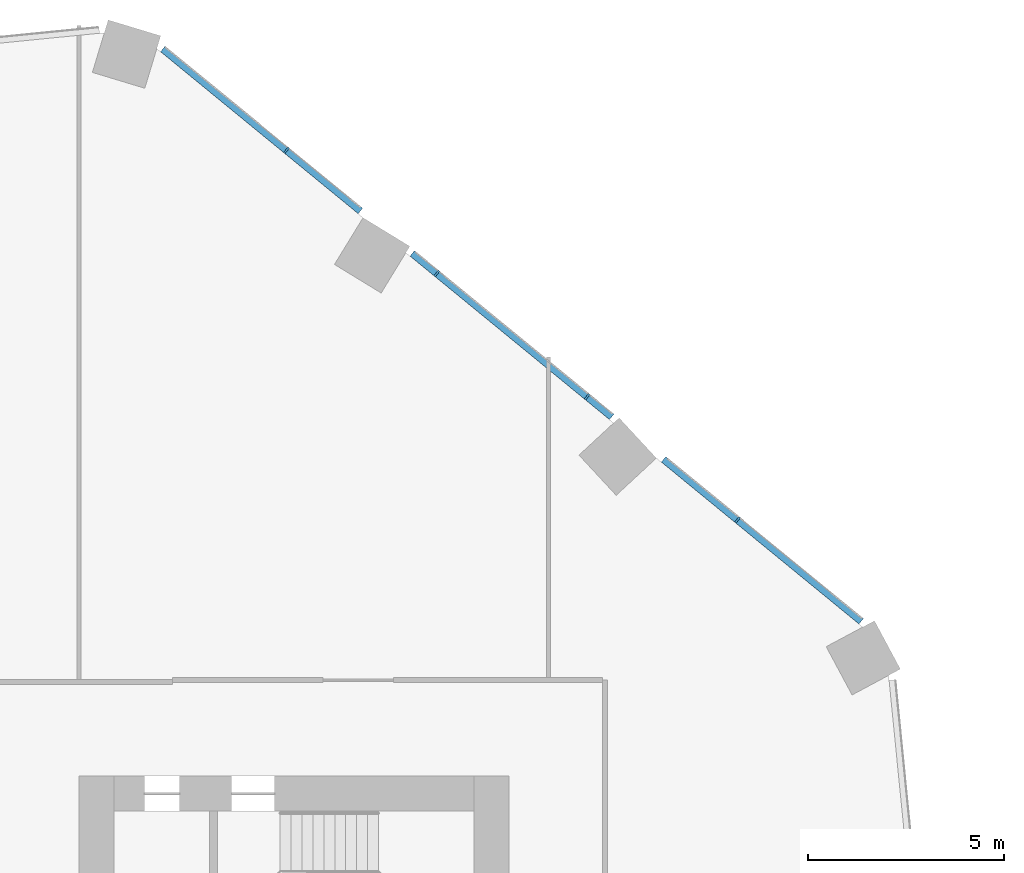
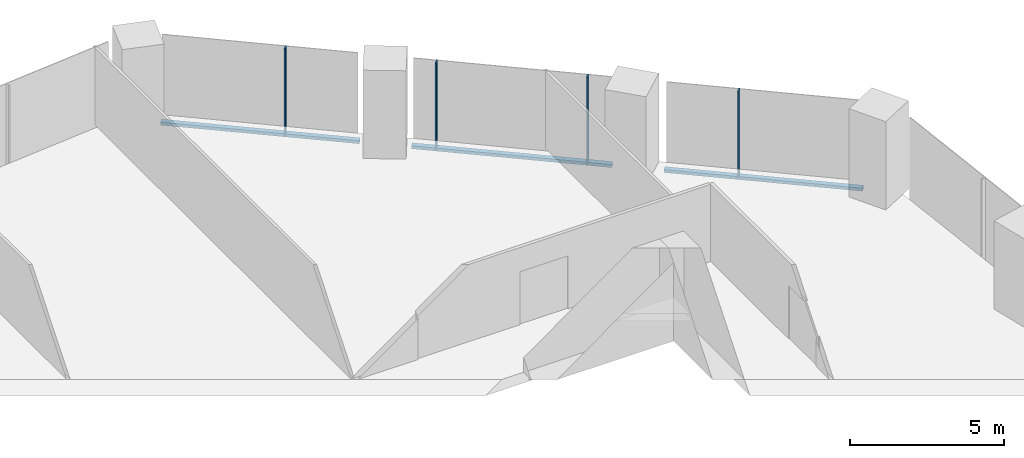
# One storey, part 14 of 34: 7 members, 1 element without a shape of its own.
"""IFC4 building model written with IfcOpenShell, lengths in metres."""

from ifc_helpers import new_model, si_unit, direction, frame, origin, origin_2d, place, context, subcontext, project, spatial, rectangle, extrude, material, material_profile, profile_set, type_object, element, aggregate, save


model = new_model("IFC4")

# Units and contexts
model_context = context("Model", 3, precision=1e-05, world=origin(), true_north=direction((0.0, 1.0)))
body_context = subcontext(model_context, "Body", "Model", "MODEL_VIEW")
ifc_project = project(units=[si_unit("LENGTHUNIT", "METRE"), si_unit("AREAUNIT", "SQUARE_METRE"), si_unit("VOLUMEUNIT", "CUBIC_METRE"), si_unit("PLANEANGLEUNIT", "RADIAN"), si_unit("MASSUNIT", "GRAM", prefix="KILO")], contexts=[model_context])

# Site, building, storey
site_placement = place(None, origin())
site = spatial("IfcSite", under=ifc_project, at=site_placement, CompositionType="ELEMENT")
building_placement = place(site_placement, origin())
building = spatial("IfcBuilding", under=site, at=building_placement, Name="Orlundy Tower", CompositionType="ELEMENT")
storey_placement = place(building_placement, frame((0.0, 0.0, 40.800048828125)))
storey = spatial("IfcBuildingStorey", under=building, at=storey_placement, Name="L08", CompositionType="ELEMENT", Elevation=40.800048828125)

# Curtain wall, members
ifc_material_1 = material(Name="Aluminium bronze anodised", Category="aluminium")
curtain_wall_type = type_object("IfcCurtainWallType", Name="CW1 wall", PredefinedType="NOTDEFINED", material=ifc_material_1)
curtain_wall_placement = place(storey_placement, origin())
curtain_wall = element("IfcCurtainWall", 1, at=curtain_wall_placement, inside=storey, type_object=curtain_wall_type, Name="CW1 run 04", PredefinedType="NOTDEFINED")
ifc_material_2 = material(Name="Aluminium bronze anodised", Category="aluminium")
ifc_material_profile_1 = material_profile(ifc_material_2, rectangle(XDim=0.179931640625, YDim=0.050048828125, at=origin_2d()), Name="CW1 mullion 50x180")
ifc_profile_set_1 = profile_set([ifc_material_profile_1], Name="Aluminium bronze anodised")
member_type_1 = type_object("IfcMemberType", Name="CW1 mullion 50x180", PredefinedType="MULLION", material=ifc_profile_set_1)
member_1_placement = place(storey_placement, frame((13.3046875, 27.999267578125, -0.420166015625), z_axis=(0.0, 0.0, 1.0), x_axis=(0.633818264458, 0.773482002143, 0.0)))
member_1 = element("IfcMember", 2, at=member_1_placement, type_object=member_type_1, Name="CW1 mullion 20", PredefinedType="MULLION", context=body_context, shape_type="SweptSolid", body=[
    extrude(rectangle(XDim=0.179931640625, YDim=0.050048828125, at=origin_2d()), origin(), (0.0, 0.0, 1.0), 3.5),
])
member_2_placement = place(storey_placement, frame((17.149169921875, 24.848876953125, -0.420166015625), z_axis=(0.0, 0.0, 1.0), x_axis=(0.633818264458, 0.773482002143, 0.0)))
member_2 = element("IfcMember", 3, at=member_2_placement, type_object=member_type_1, Name="CW1 mullion 21", PredefinedType="MULLION", context=body_context, shape_type="SweptSolid", body=[
    extrude(rectangle(XDim=0.179931640625, YDim=0.050048828125, at=origin_2d()), origin(), (0.0, 0.0, 1.0), 3.5),
])
member_3_placement = place(storey_placement, frame((20.993896484375, 21.698486328125, -0.420166015625), z_axis=(0.0, 0.0, 1.0), x_axis=(0.633818264458, 0.773482002143, 0.0)))
member_3 = element("IfcMember", 4, at=member_3_placement, type_object=member_type_1, Name="CW1 mullion 22", PredefinedType="MULLION", context=body_context, shape_type="SweptSolid", body=[
    extrude(rectangle(XDim=0.179931640625, YDim=0.050048828125, at=origin_2d()), origin(), (0.0, 0.0, 1.0), 3.5),
])
member_4_placement = place(storey_placement, frame((24.83837890625, 18.548095703125, -0.420166015625), z_axis=(0.0, 0.0, 1.0), x_axis=(0.633818264458, 0.773482002143, 0.0)))
member_4 = element("IfcMember", 5, at=member_4_placement, type_object=member_type_1, Name="CW1 mullion 23", PredefinedType="MULLION", context=body_context, shape_type="SweptSolid", body=[
    extrude(rectangle(XDim=0.179931640625, YDim=0.050048828125, at=origin_2d()), origin(), (0.0, 0.0, 1.0), 3.5),
])
ifc_material_3 = material(Name="Aluminium bronze anodised", Category="aluminium")
ifc_material_profile_2 = material_profile(ifc_material_3, rectangle(XDim=0.179931640625, YDim=0.1201171875, at=origin_2d()), Name="CW1 transom 180x120")
ifc_profile_set_2 = profile_set([ifc_material_profile_2], Name="Aluminium bronze anodised")
member_type_2 = type_object("IfcMemberType", Name="CW1 transom 180x120", PredefinedType="USERDEFINED", material=ifc_profile_set_2)
member_5_placement = place(storey_placement, frame((10.142822265625, 30.590087890625, -0.360107421875), z_axis=(0.773477422369, -0.633823853358, 0.0), x_axis=(0.633823853358, 0.773477422369, 0.0)))
member_5 = element("IfcMember", 6, at=member_5_placement, type_object=member_type_2, Name="CW1 transom", ObjectType="TRANSOM", PredefinedType="USERDEFINED", context=body_context, shape_type="SweptSolid", body=[
    extrude(rectangle(XDim=0.179931640625, YDim=0.1201171875, at=origin_2d()), origin(), (0.0, 0.0, 1.0), 6.53125),
])
member_6_placement = place(storey_placement, frame((16.52197265625, 25.36279296875, -0.360107421875), z_axis=(0.77347364966, -0.633828457298, 0.0), x_axis=(0.633828457298, 0.77347364966, 0.0)))
member_6 = element("IfcMember", 7, at=member_6_placement, type_object=member_type_2, Name="CW1 transom", ObjectType="TRANSOM", PredefinedType="USERDEFINED", context=body_context, shape_type="SweptSolid", body=[
    extrude(rectangle(XDim=0.179931640625, YDim=0.1201171875, at=origin_2d()), origin(), (0.0, 0.0, 1.0), 6.5927734375),
])
member_7_placement = place(storey_placement, frame((22.94873046875, 20.096435546875, -0.360107421875), z_axis=(0.773492438688, -0.633805527975, 0.0), x_axis=(0.633805527975, 0.773492438688, 0.0)))
member_7 = element("IfcMember", 8, at=member_7_placement, type_object=member_type_2, Name="CW1 transom", ObjectType="TRANSOM", PredefinedType="USERDEFINED", context=body_context, shape_type="SweptSolid", body=[
    extrude(rectangle(XDim=0.179931640625, YDim=0.1201171875, at=origin_2d()), origin(), (0.0, 0.0, 1.0), 6.531494140625),
])
aggregate(curtain_wall, [member_1, member_2, member_3, member_4, member_5, member_6, member_7])

save(model, "model.ifc")
